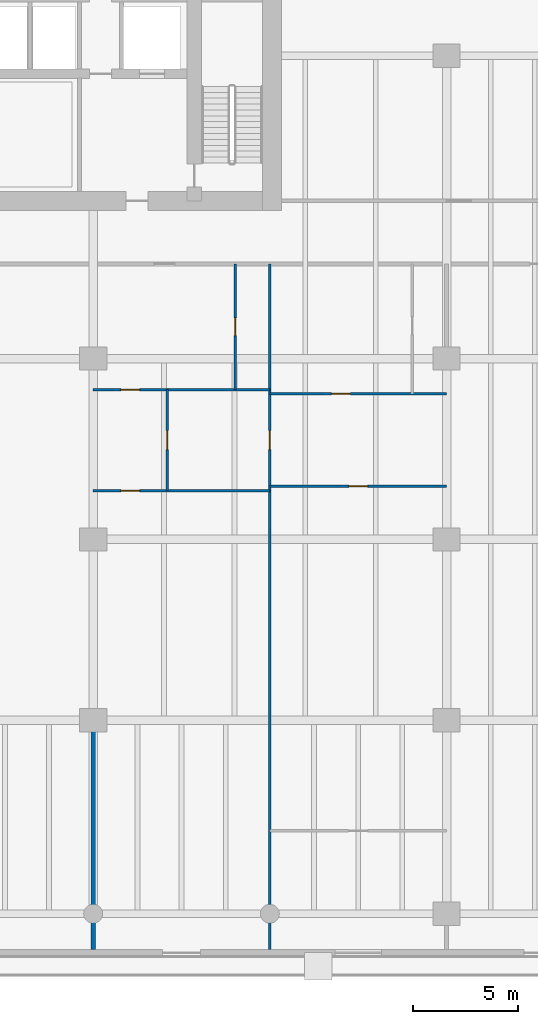
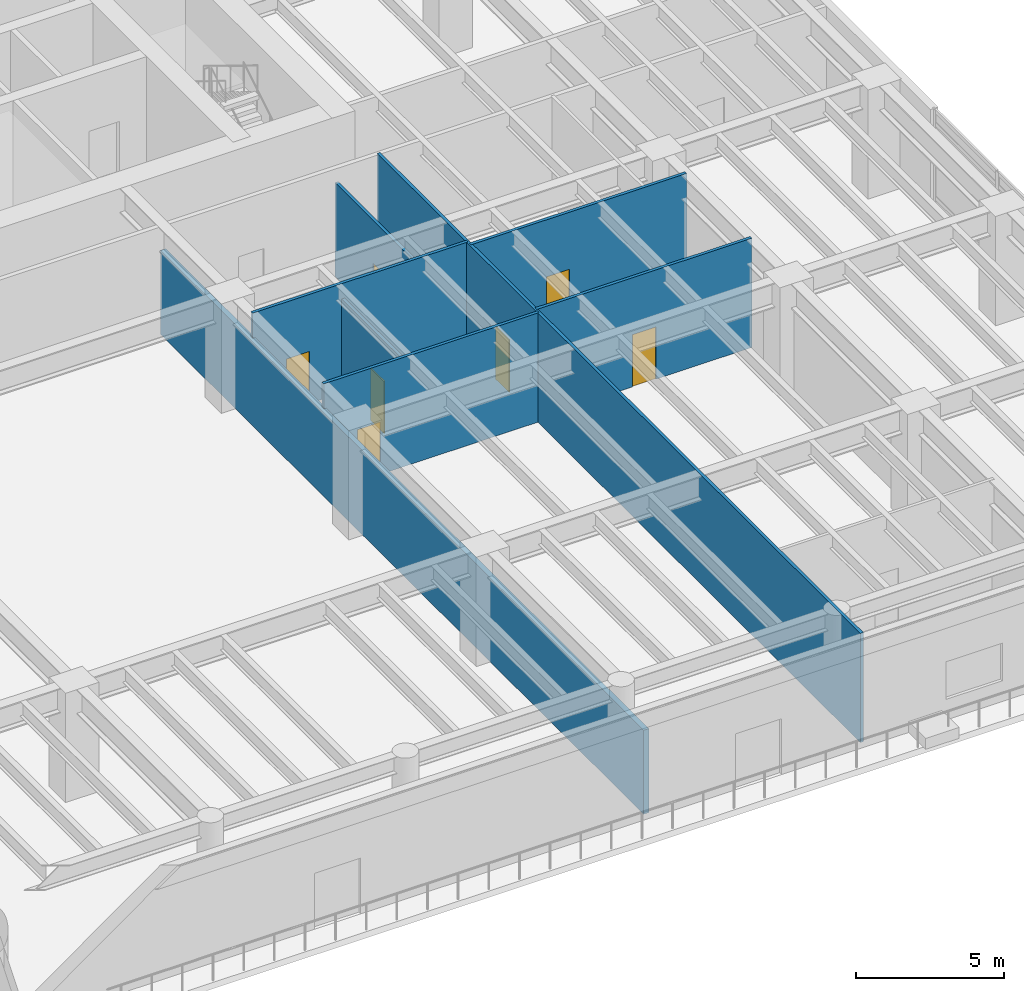
# One storey, part 8 of 17: 8 walls, 7 doors, 7 openings.
"""IFC4 building model written with IfcOpenShell, lengths in metres."""

from ifc_helpers import new_model, si_unit, direction, frame, frame_2d, origin, place, context, subcontext, project, spatial, rectangle, extrude, material, layer, layer_set, type_object, element, fill, save


model = new_model("IFC4")

# Units and contexts
model_context = context("Model", 3, precision=1e-05, world=origin(), true_north=direction((0.0, 1.0)))
body_context = subcontext(model_context, "Body", "Model", "MODEL_VIEW")
ifc_project = project(units=[si_unit("LENGTHUNIT", "METRE"), si_unit("AREAUNIT", "SQUARE_METRE"), si_unit("VOLUMEUNIT", "CUBIC_METRE"), si_unit("PLANEANGLEUNIT", "RADIAN"), si_unit("MASSUNIT", "GRAM", prefix="KILO")], contexts=[model_context])

# Site, building, storey
site_placement = place(None, origin())
site = spatial("IfcSite", under=ifc_project, at=site_placement, CompositionType="ELEMENT")
building_placement = place(site_placement, origin())
building = spatial("IfcBuilding", under=site, at=building_placement, Name="Caelmar Bay Residences", CompositionType="ELEMENT")
storey_placement = place(building_placement, frame((0.0, 0.0, 10.199951171875)))
storey = spatial("IfcBuildingStorey", under=building, at=storey_placement, Name="L02", CompositionType="ELEMENT", Elevation=10.199951171875)

# Wall, opening, door
ifc_material_1 = material(Name="Acoustic metal-stud gypsum partition 120 mm")
ifc_layer_1 = layer(ifc_material_1, 0.1201171875)
ifc_layer_set_1 = layer_set([ifc_layer_1], Name="Acoustic metal-stud gypsum partition 120 mm")
wall_type_1 = type_object("IfcWallType", Name="W-PRT-120", PredefinedType="PARTITIONING", material=ifc_layer_set_1)
wall_1_placement = place(storey_placement, frame((54.6279296875, 23.1201171875, 0.0), z_axis=(0.0, 0.0, 1.0), x_axis=(0.0, 1.0, 0.0)))
wall_1 = element("IfcWall", 1, at=wall_1_placement, inside=storey, type_object=wall_type_1, Name="L02 Partition Wall V027", PredefinedType="PARTITIONING", context=body_context, shape_type="SweptSolid", body=[
    extrude(rectangle(XDim=4.7998046875, YDim=0.1201171875, at=frame_2d((2.39990234375, 0.0))), origin(), (0.0, 0.0, 1.0), 3.873046875),
])
opening_1_placement = place(wall_1_placement, frame((1.949951171875, 0.0, 0.0)))
opening_1 = element("IfcOpeningElement", 2, at=opening_1_placement, cuts=wall_1, Name="Opening D-L02-136", PredefinedType="OPENING", context=body_context, shape_type="SweptSolid", body=[
    extrude(rectangle(XDim=0.89990234375, YDim=2.14990234375, at=frame_2d((0.449951171875, 1.074951171875))), frame((0.0, 0.070068359375, 0.0), z_axis=(0.0, -1.0, 0.0), x_axis=(1.0, 0.0, 0.0)), (0.0, 0.0, 1.0), 0.14013671875),
])
ifc_material_2 = material(Name="Solid walnut timber interior door leaf and frame", Category="wood")
ifc_layer_2 = layer(ifc_material_2, 0.050048828125)
ifc_layer_set_2 = layer_set([ifc_layer_2], Name="Solid walnut timber interior door leaf and frame")
door_type_1 = type_object("IfcDoorType", Name="D-ROOM-900", OperationType="NOTDEFINED", PredefinedType="DOOR", material=ifc_layer_set_2)
door_1_placement = place(opening_1_placement, origin())
door_1 = element("IfcDoor", 3, at=door_1_placement, inside=storey, type_object=door_type_1, Name="L02 Residence 2B Kitchen Door", OperationType="SINGLE_SWING_RIGHT", OverallHeight=2.14990234375, OverallWidth=0.89990234375, PredefinedType="DOOR", context=body_context, shape_type="SweptSolid", body=[
    extrude(rectangle(XDim=0.89990234375, YDim=2.14990234375, at=frame_2d((0.449951171875, 1.074951171875))), frame((0.0, 0.02490234375, 0.0), z_axis=(0.0, -1.0, 0.0), x_axis=(1.0, 0.0, 0.0)), (0.0, 0.0, 1.0), 0.050048828125),
])
fill(opening_1, door_1)

wall_2_placement = place(storey_placement, frame((57.861083984375, 27.919921875, 0.0), z_axis=(0.0, 0.0, 1.0), x_axis=(0.0, 1.0, 0.0)))
wall_2 = element("IfcWall", 4, at=wall_2_placement, inside=storey, type_object=wall_type_1, Name="L02 Partition Wall V029", PredefinedType="PARTITIONING", context=body_context, shape_type="SweptSolid", body=[
    extrude(rectangle(XDim=5.97998046875, YDim=0.1201171875, at=frame_2d((2.989990234375, 0.0))), origin(), (0.0, 0.0, 1.0), 3.873046875),
])
opening_2_placement = place(wall_2_placement, frame((2.56494140625, 0.0, 0.0)))
opening_2 = element("IfcOpeningElement", 5, at=opening_2_placement, cuts=wall_2, Name="Opening D-L02-134", PredefinedType="OPENING", context=body_context, shape_type="SweptSolid", body=[
    extrude(rectangle(XDim=0.85009765625, YDim=2.10009765625, at=frame_2d((0.425048828125, 1.050048828125))), frame((0.0, 0.070068359375, 0.0), z_axis=(0.0, -1.0, 0.0), x_axis=(1.0, 0.0, 0.0)), (0.0, 0.0, 1.0), 0.14013671875),
])
ifc_layer_3 = layer(ifc_material_2, 0.050048828125)
ifc_layer_set_3 = layer_set([ifc_layer_3], Name="Solid walnut timber interior door leaf and frame")
door_type_2 = type_object("IfcDoorType", Name="D-BATH-850", OperationType="NOTDEFINED", PredefinedType="DOOR", material=ifc_layer_set_3)
door_2_placement = place(opening_2_placement, origin())
door_2 = element("IfcDoor", 6, at=door_2_placement, inside=storey, type_object=door_type_2, Name="L02 Residence 2B Guest Bathroom Door", OperationType="SINGLE_SWING_RIGHT", OverallHeight=2.10009765625, OverallWidth=0.85009765625, PredefinedType="DOOR", context=body_context, shape_type="SweptSolid", body=[
    extrude(rectangle(XDim=0.85009765625, YDim=2.10009765625, at=frame_2d((0.425048828125, 1.050048828125))), frame((0.0, 0.02490234375, 0.0), z_axis=(0.0, -1.0, 0.0), x_axis=(1.0, 0.0, 0.0)), (0.0, 0.0, 1.0), 0.050048828125),
])
fill(opening_2, door_2)

wall_3_placement = place(storey_placement, frame((59.5, 1.294921875, 0.0), z_axis=(0.0, 0.0, 1.0), x_axis=(0.0, 1.0, 0.0)))
wall_3 = element("IfcWall", 7, at=wall_3_placement, inside=storey, type_object=wall_type_1, Name="L02 Partition Wall V030", PredefinedType="PARTITIONING", context=body_context, shape_type="SweptSolid", body=[
    extrude(rectangle(XDim=32.60498046875, YDim=0.1201171875, at=frame_2d((16.302490234375, 0.0))), origin(), (0.0, 0.0, 1.0), 4.5),
])
opening_3_placement = place(wall_3_placement, frame((23.77490234375, 0.0, 0.0)))
opening_3 = element("IfcOpeningElement", 8, at=opening_3_placement, cuts=wall_3, Name="Opening D-L02-138", PredefinedType="OPENING", context=body_context, shape_type="SweptSolid", body=[
    extrude(rectangle(XDim=0.89990234375, YDim=2.14990234375, at=frame_2d((0.449951171875, 1.074951171875))), frame((0.0, 0.070068359375, 0.0), z_axis=(0.0, -1.0, 0.0), x_axis=(1.0, 0.0, 0.0)), (0.0, 0.0, 1.0), 0.14013671875),
])
door_3_placement = place(opening_3_placement, origin())
door_3 = element("IfcDoor", 9, at=door_3_placement, inside=storey, type_object=door_type_1, Name="L02 Residence 2B Conference Study 1 Door", OperationType="SINGLE_SWING_RIGHT", OverallHeight=2.14990234375, OverallWidth=0.89990234375, PredefinedType="DOOR", context=body_context, shape_type="SweptSolid", body=[
    extrude(rectangle(XDim=0.89990234375, YDim=2.14990234375, at=frame_2d((0.449951171875, 1.074951171875))), frame((0.0, 0.02490234375, 0.0), z_axis=(0.0, -1.0, 0.0), x_axis=(1.0, 0.0, 0.0)), (0.0, 0.0, 1.0), 0.050048828125),
])
fill(opening_3, door_3)

wall_4_placement = place(storey_placement, frame((51.10009765625, 23.1201171875, 0.0), z_axis=(0.0, 0.0, 1.0), x_axis=(1.0, 0.0, 0.0)))
wall_4 = element("IfcWall", 10, at=wall_4_placement, inside=storey, type_object=wall_type_1, Name="L02 Partition Wall H036", PredefinedType="PARTITIONING", context=body_context, shape_type="SweptSolid", body=[
    extrude(rectangle(XDim=8.39990234375, YDim=0.1201171875, at=frame_2d((4.199951171875, 0.0))), origin(), (0.0, 0.0, 1.0), 4.5),
])
opening_4_placement = place(wall_4_placement, frame((1.31396484375, 0.0, 0.0)))
opening_4 = element("IfcOpeningElement", 11, at=opening_4_placement, cuts=wall_4, Name="Opening D-L02-137", PredefinedType="OPENING", context=body_context, shape_type="SweptSolid", body=[
    extrude(rectangle(XDim=0.89990234375, YDim=2.14990234375, at=frame_2d((0.449951171875, 1.074951171875))), frame((0.0, 0.070068359375, 0.0), z_axis=(0.0, -1.0, 0.0), x_axis=(1.0, 0.0, 0.0)), (0.0, 0.0, 1.0), 0.14013671875),
])
door_4_placement = place(opening_4_placement, origin())
door_4 = element("IfcDoor", 12, at=door_4_placement, inside=storey, type_object=door_type_1, Name="L02 Residence 2B Penthouse Living Salon Door", OperationType="SINGLE_SWING_LEFT", OverallHeight=2.14990234375, OverallWidth=0.89990234375, PredefinedType="DOOR", context=body_context, shape_type="SweptSolid", body=[
    extrude(rectangle(XDim=0.89990234375, YDim=2.14990234375, at=frame_2d((0.449951171875, 1.074951171875))), frame((0.0, 0.02490234375, 0.0), z_axis=(0.0, -1.0, 0.0), x_axis=(1.0, 0.0, 0.0)), (0.0, 0.0, 1.0), 0.050048828125),
])
fill(opening_4, door_4)

wall_5_placement = place(storey_placement, frame((59.5048828125, 23.320068359375, 0.0), z_axis=(0.0, 0.0, 1.0), x_axis=(1.0, 0.0, 0.0)))
wall_5 = element("IfcWall", 13, at=wall_5_placement, inside=storey, type_object=wall_type_1, Name="L02 Partition Wall H037", PredefinedType="PARTITIONING", context=body_context, shape_type="SweptSolid", body=[
    extrude(rectangle(XDim=8.39501953125, YDim=0.1201171875, at=frame_2d((4.197509765625, 0.0))), origin(), (0.0, 0.0, 1.0), 4.5),
])
opening_5_placement = place(wall_5_placement, frame((3.74755859375, 0.0, 0.0)))
opening_5 = element("IfcOpeningElement", 14, at=opening_5_placement, cuts=wall_5, Name="Opening D-L02-141", PredefinedType="OPENING", context=body_context, shape_type="SweptSolid", body=[
    extrude(rectangle(XDim=0.89990234375, YDim=2.14990234375, at=frame_2d((0.449951171875, 1.074951171875))), frame((0.0, 0.070068359375, 0.0), z_axis=(0.0, -1.0, 0.0), x_axis=(1.0, 0.0, 0.0)), (0.0, 0.0, 1.0), 0.14013671875),
])
door_5_placement = place(opening_5_placement, origin())
door_5 = element("IfcDoor", 15, at=door_5_placement, inside=storey, type_object=door_type_1, Name="L02 Residence 2B Penthouse Sitting Salon 1 Door", OperationType="SINGLE_SWING_LEFT", OverallHeight=2.14990234375, OverallWidth=0.89990234375, PredefinedType="DOOR", context=body_context, shape_type="SweptSolid", body=[
    extrude(rectangle(XDim=0.89990234375, YDim=2.14990234375, at=frame_2d((0.449951171875, 1.074951171875))), frame((0.0, 0.02490234375, 0.0), z_axis=(0.0, -1.0, 0.0), x_axis=(1.0, 0.0, 0.0)), (0.0, 0.0, 1.0), 0.050048828125),
])
fill(opening_5, door_5)

wall_6_placement = place(storey_placement, frame((59.5, 27.719970703125, 0.0), z_axis=(0.0, 0.0, 1.0), x_axis=(1.0, 0.0, 0.0)))
wall_6 = element("IfcWall", 16, at=wall_6_placement, inside=storey, type_object=wall_type_1, Name="L02 Partition Wall H040", PredefinedType="PARTITIONING", context=body_context, shape_type="SweptSolid", body=[
    extrude(rectangle(XDim=8.39990234375, YDim=0.1201171875, at=frame_2d((4.199951171875, 0.0))), origin(), (0.0, 0.0, 1.0), 4.5),
])
opening_6_placement = place(wall_6_placement, frame((2.93310546875, 0.0, 0.0)))
opening_6 = element("IfcOpeningElement", 17, at=opening_6_placement, cuts=wall_6, Name="Opening D-L02-139", PredefinedType="OPENING", context=body_context, shape_type="SweptSolid", body=[
    extrude(rectangle(XDim=0.89990234375, YDim=2.14990234375, at=frame_2d((0.449951171875, 1.074951171875))), frame((0.0, 0.070068359375, 0.0), z_axis=(0.0, -1.0, 0.0), x_axis=(1.0, 0.0, 0.0)), (0.0, 0.0, 1.0), 0.14013671875),
])
door_6_placement = place(opening_6_placement, origin())
door_6 = element("IfcDoor", 18, at=door_6_placement, inside=storey, type_object=door_type_1, Name="L02 Residence 2B Private Meeting Room 1 Door", OperationType="SINGLE_SWING_LEFT", OverallHeight=2.14990234375, OverallWidth=0.89990234375, PredefinedType="DOOR", context=body_context, shape_type="SweptSolid", body=[
    extrude(rectangle(XDim=0.89990234375, YDim=2.14990234375, at=frame_2d((0.449951171875, 1.074951171875))), frame((0.0, 0.02490234375, 0.0), z_axis=(0.0, -1.0, 0.0), x_axis=(1.0, 0.0, 0.0)), (0.0, 0.0, 1.0), 0.050048828125),
])
fill(opening_6, door_6)

wall_7_placement = place(storey_placement, frame((51.10009765625, 27.919921875, 0.0), z_axis=(0.0, 0.0, 1.0), x_axis=(1.0, 0.0, 0.0)))
wall_7 = element("IfcWall", 19, at=wall_7_placement, inside=storey, type_object=wall_type_1, Name="L02 Partition Wall H041", PredefinedType="PARTITIONING", context=body_context, shape_type="SweptSolid", body=[
    extrude(rectangle(XDim=8.39990234375, YDim=0.1201171875, at=frame_2d((4.199951171875, 0.0))), origin(), (0.0, 0.0, 1.0), 4.5),
])
opening_7_placement = place(wall_7_placement, frame((1.31396484375, 0.0, 0.0)))
opening_7 = element("IfcOpeningElement", 20, at=opening_7_placement, cuts=wall_7, Name="Opening D-L02-135", PredefinedType="OPENING", context=body_context, shape_type="SweptSolid", body=[
    extrude(rectangle(XDim=0.89990234375, YDim=2.14990234375, at=frame_2d((0.449951171875, 1.074951171875))), frame((0.0, 0.070068359375, 0.0), z_axis=(0.0, -1.0, 0.0), x_axis=(1.0, 0.0, 0.0)), (0.0, 0.0, 1.0), 0.14013671875),
])
door_7_placement = place(opening_7_placement, origin())
door_7 = element("IfcDoor", 21, at=door_7_placement, inside=storey, type_object=door_type_1, Name="L02 Residence 2B Dining Room Door", OperationType="SINGLE_SWING_LEFT", OverallHeight=2.14990234375, OverallWidth=0.89990234375, PredefinedType="DOOR", context=body_context, shape_type="SweptSolid", body=[
    extrude(rectangle(XDim=0.89990234375, YDim=2.14990234375, at=frame_2d((0.449951171875, 1.074951171875))), frame((0.0, 0.02490234375, 0.0), z_axis=(0.0, -1.0, 0.0), x_axis=(1.0, 0.0, 0.0)), (0.0, 0.0, 1.0), 0.050048828125),
])
fill(opening_7, door_7)

# Wall
ifc_material_3 = material(Name="Acoustic twin-stud fire-rated inter-tenancy partition 200 mm")
ifc_layer_4 = layer(ifc_material_3, 0.199951171875)
ifc_layer_set_4 = layer_set([ifc_layer_4], Name="Acoustic twin-stud fire-rated inter-tenancy partition 200 mm")
wall_type_2 = type_object("IfcWallType", Name="W-PTY-200", PredefinedType="PARTITIONING", material=ifc_layer_set_4)
wall_8_placement = place(storey_placement, frame((51.10009765625, 1.294921875, 0.0), z_axis=(0.0, 0.0, 1.0), x_axis=(0.0, 1.0, 0.0)))
element("IfcWall", 22, at=wall_8_placement, inside=storey, type_object=wall_type_2, Name="L02 Partition Wall V025", PredefinedType="PARTITIONING", context=body_context, shape_type="SweptSolid", body=[
    extrude(rectangle(XDim=32.60498046875, YDim=0.199951171875, at=frame_2d((16.302490234375, 0.0))), origin(), (0.0, 0.0, 1.0), 3.464111328125),
])

save(model, "model.ifc")
